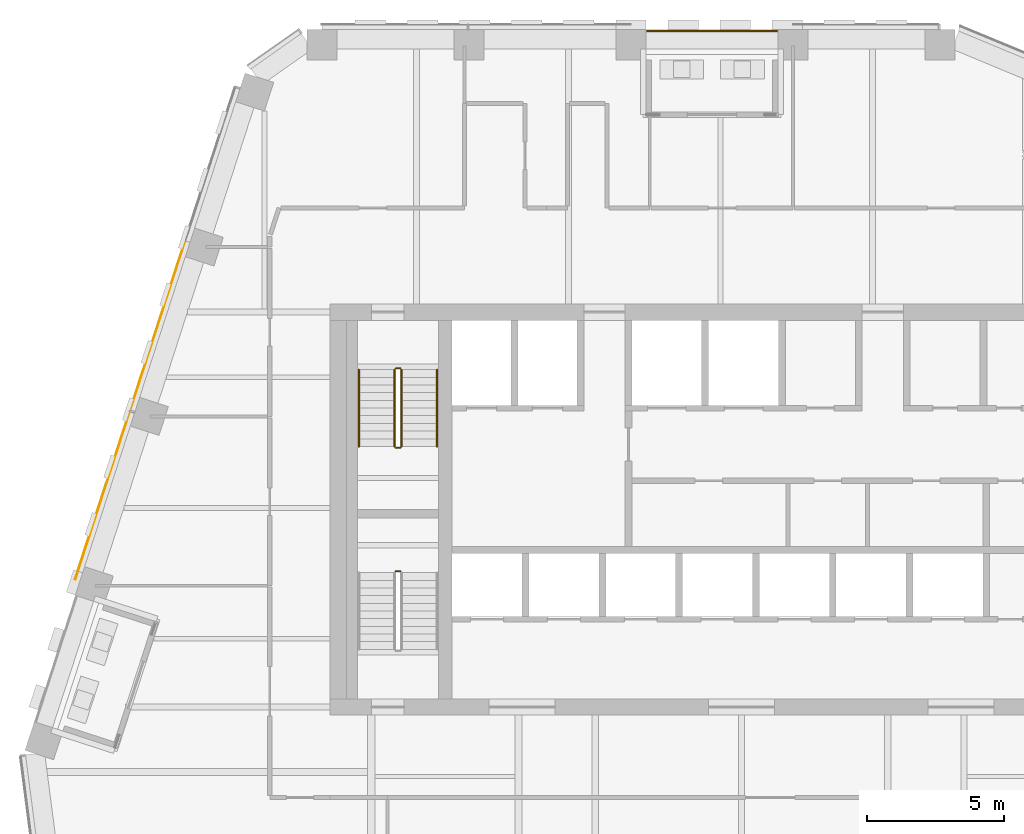
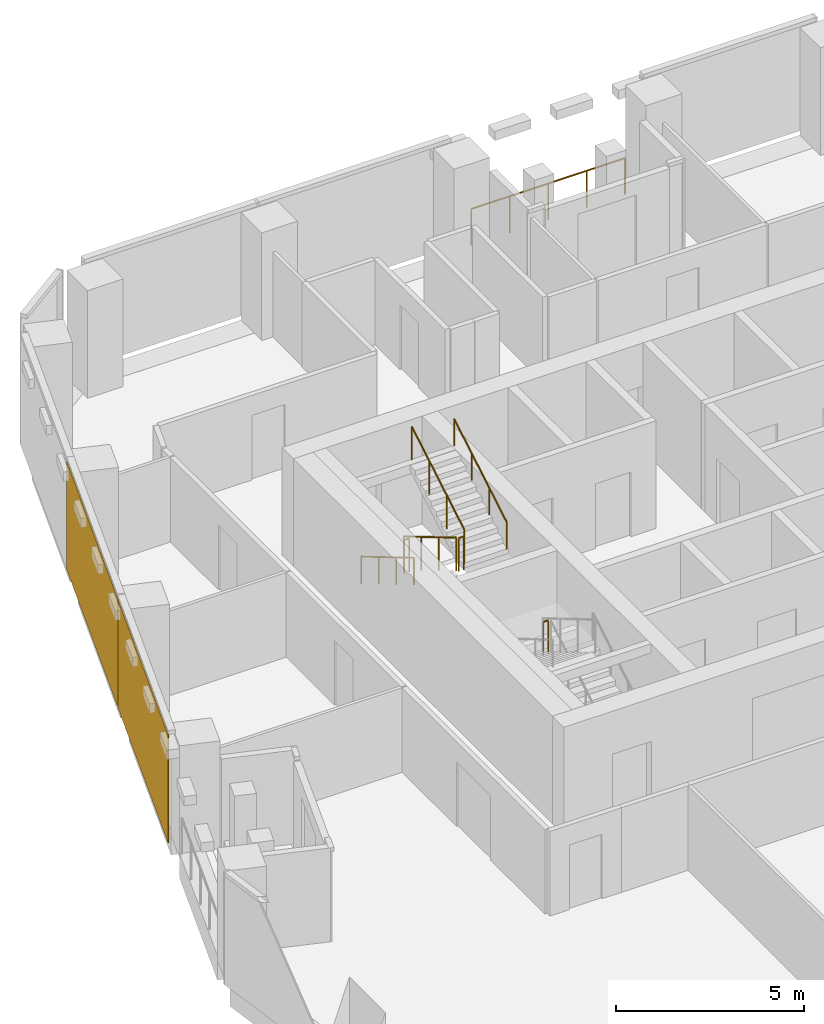
# One storey, part 22 of 24: 8 railings, 2 coverings, 1 element without a shape of its own.
"""IFC4 building model written with IfcOpenShell, lengths in metres."""

from ifc_helpers import new_model, si_unit, direction, frame, origin, origin_2d, place, context, subcontext, project, spatial, rectangle, circle, extrude, material, layer, layer_set, type_object, element, aggregate, save


model = new_model("IFC4")

# Units and contexts
model_context = context("Model", 3, precision=1e-05, world=origin(), true_north=direction((0.0, 1.0)))
body_context = subcontext(model_context, "Body", "Model", "MODEL_VIEW")
ifc_project = project(units=[si_unit("LENGTHUNIT", "METRE"), si_unit("AREAUNIT", "SQUARE_METRE"), si_unit("VOLUMEUNIT", "CUBIC_METRE"), si_unit("PLANEANGLEUNIT", "RADIAN"), si_unit("MASSUNIT", "GRAM", prefix="KILO")], contexts=[model_context])

# Site, building, storey
site_placement = place(None, origin())
site = spatial("IfcSite", under=ifc_project, at=site_placement, CompositionType="ELEMENT")
building_placement = place(site_placement, origin())
building = spatial("IfcBuilding", under=site, at=building_placement, Name="Isthmus Gate Tower", CompositionType="ELEMENT")
storey_placement = place(building_placement, frame((0.0, 0.0, 234.550048828125)))
storey = spatial("IfcBuildingStorey", under=building, at=storey_placement, Name="L59", CompositionType="ELEMENT", Elevation=234.550048828125)

# Curtain wall, coverings
ifc_material_1 = material(Name="Aluminium, pale champagne anodised", Category="aluminium")
ifc_layer_1 = layer(ifc_material_1, 0.199951171875)
ifc_layer_set_1 = layer_set([ifc_layer_1], Name="CW-1 UNITISED CURTAIN WALL 200 DEEP")
curtain_wall_type = type_object("IfcCurtainWallType", Name="CW-1 UNITISED CURTAIN WALL 200 DEEP", PredefinedType="NOTDEFINED", material=ifc_layer_set_1)
curtain_wall_placement = place(storey_placement, origin())
curtain_wall = element("IfcCurtainWall", 1, at=curtain_wall_placement, inside=storey, type_object=curtain_wall_type, Name="CW-1 NW L59", PredefinedType="NOTDEFINED")
ifc_material_2 = material(Name="Aluminium composite panel, pale champagne anodised", Category="aluminium")
ifc_layer_2 = layer(ifc_material_2, 0.031982421875)
ifc_layer_set_2 = layer_set([ifc_layer_2], Name="CW-1 PALE METAL PANEL 32")
covering_type = type_object("IfcCoveringType", Name="CW-1 PALE METAL PANEL 32", PredefinedType="CLADDING", material=ifc_layer_set_2)
covering_1_placement = place(storey_placement, frame((-21.288330078125, 14.210693359375, 0.0), z_axis=(0.0, 0.0, 1.0), x_axis=(-0.309016994375, -0.951056516295, 0.0)))
covering_1 = element("IfcCovering", 2, at=covering_1_placement, type_object=covering_type, Name="CW-1 pale metal panel", PredefinedType="CLADDING", context=body_context, shape_type="SweptSolid", body=[
    extrude(rectangle(XDim=6.491943359375, YDim=0.031982421875, at=origin_2d()), origin(), (0.0, 0.0, 1.0), 3.52001953125),
])
covering_2_placement = place(storey_placement, frame((-23.3037109375, 8.0078125, 0.0), z_axis=(0.0, 0.0, 1.0), x_axis=(-0.309016994375, -0.951056516295, 0.0)))
covering_2 = element("IfcCovering", 3, at=covering_2_placement, type_object=covering_type, Name="CW-1 pale metal panel", PredefinedType="CLADDING", context=body_context, shape_type="SweptSolid", body=[
    extrude(rectangle(XDim=6.431884765625, YDim=0.031982421875, at=origin_2d()), origin(), (0.0, 0.0, 1.0), 3.52001953125),
])
aggregate(curtain_wall, [covering_1, covering_2])

# Railings
ifc_material_3 = material(Name="Toughened laminated glass with stainless steel posts", Category="steel")
railing_type_1 = type_object("IfcRailingType", Name="GUARD 1200 FRAMELESS GLASS", PredefinedType="GUARDRAIL", material=ifc_material_3)
railing_1_placement = place(storey_placement, frame((1.29052734375, 24.949951171875, 0.0)))
element("IfcRailing", 4, at=railing_1_placement, inside=storey, type_object=railing_type_1, Name="LOGGIA GUARD", PredefinedType="GUARDRAIL", context=body_context, shape_type="SweptSolid", body=[
    extrude(circle(Radius=0.02490234375, at=origin_2d()), frame((0.0, 0.0, 1.1748046875), z_axis=(-1.0, 0.0, 0.0), x_axis=(0.0, -1.0, 0.0)), (0.0, 0.0, 1.0), 4.730712890625),
    extrude(circle(Radius=0.02490234375, at=origin_2d()), origin(), (0.0, 0.0, 1.0), 1.14990234375),
    extrude(circle(Radius=0.02490234375, at=origin_2d()), frame((-1.1826171875, 0.0, 0.0)), (0.0, 0.0, 1.0), 1.14990234375),
    extrude(circle(Radius=0.02490234375, at=origin_2d()), frame((-2.365234375, 0.0, 0.0)), (0.0, 0.0, 1.0), 1.14990234375),
    extrude(circle(Radius=0.02490234375, at=origin_2d()), frame((-3.548095703125, 0.0, 0.0)), (0.0, 0.0, 1.0), 1.14990234375),
    extrude(circle(Radius=0.02490234375, at=origin_2d()), frame((-4.730712890625, 0.0, 0.0)), (0.0, 0.0, 1.0), 1.14990234375),
])
ifc_material_4 = material(Name="Stainless steel balustrade", Category="steel")
railing_type_2 = type_object("IfcRailingType", Name="STAIR GUARD 1100", PredefinedType="GUARDRAIL", material=ifc_material_4)
railing_2_placement = place(storey_placement, frame((-12.64990234375, 12.60009765625, 0.165771484375)))
element("IfcRailing", 5, at=railing_2_placement, inside=storey, type_object=railing_type_2, Name="L59 ST1 stair guard 1", PredefinedType="GUARDRAIL", context=body_context, shape_type="SweptSolid", body=[
    extrude(circle(Radius=0.02392578125, at=origin_2d()), frame((0.0, 0.0, 1.076171875), z_axis=(0.0, -0.860306154799, 0.50977771628), x_axis=(1.0, 0.0, 0.0)), (0.0, 0.0, 1.0), 3.254638671875),
    extrude(circle(Radius=0.02099609375, at=origin_2d()), origin(), (0.0, 0.0, 1.0), 1.052001953125),
    extrude(circle(Radius=0.02099609375, at=origin_2d()), frame((0.0, -0.933349609375, 0.552978515625)), (0.0, 0.0, 1.0), 1.052001953125),
    extrude(circle(Radius=0.02099609375, at=origin_2d()), frame((0.0, -1.86669921875, 1.106201171875)), (0.0, 0.0, 1.0), 1.052001953125),
    extrude(circle(Radius=0.02099609375, at=origin_2d()), frame((0.0, -2.800048828125, 1.6591796875)), (0.0, 0.0, 1.0), 1.052001953125),
])
railing_3_placement = place(storey_placement, frame((-12.60009765625, 9.75, 1.824951171875)))
element("IfcRailing", 6, at=railing_3_placement, inside=storey, type_object=railing_type_2, Name="L59 ST1 stair guard 2", PredefinedType="GUARDRAIL", context=body_context, shape_type="SweptSolid", body=[
    extrude(circle(Radius=0.02392578125, at=origin_2d()), frame((0.0, 0.0, 1.076171875), z_axis=(1.0, 0.0, 0.0), x_axis=(0.0, 1.0, 0.0)), (0.0, 0.0, 1.0), 0.150146484375),
    extrude(circle(Radius=0.02099609375, at=origin_2d()), origin(), (0.0, 0.0, 1.0), 1.052001953125),
    extrude(circle(Radius=0.02099609375, at=origin_2d()), frame((0.150146484375, 0.0, 0.0)), (0.0, 0.0, 1.0), 1.052001953125),
])
railing_4_placement = place(storey_placement, frame((-12.39990234375, 9.800048828125, 1.990966796875)))
element("IfcRailing", 7, at=railing_4_placement, inside=storey, type_object=railing_type_2, Name="L59 ST1 stair guard 3", PredefinedType="GUARDRAIL", context=body_context, shape_type="SweptSolid", body=[
    extrude(circle(Radius=0.02392578125, at=origin_2d()), frame((0.0, 0.0, 1.076171875), z_axis=(0.0, 0.860339051648, 0.50972219513), x_axis=(-1.0, 0.0, 0.0)), (0.0, 0.0, 1.0), 3.254638671875),
    extrude(circle(Radius=0.02099609375, at=origin_2d()), origin(), (0.0, 0.0, 1.0), 1.052001953125),
    extrude(circle(Radius=0.02099609375, at=origin_2d()), frame((0.0, 0.933349609375, 0.552978515625)), (0.0, 0.0, 1.0), 1.052001953125),
    extrude(circle(Radius=0.02099609375, at=origin_2d()), frame((0.0, 1.86669921875, 1.10595703125)), (0.0, 0.0, 1.0), 1.052001953125),
    extrude(circle(Radius=0.02099609375, at=origin_2d()), frame((0.0, 2.800048828125, 1.658935546875)), (0.0, 0.0, 1.0), 1.052001953125),
])
railing_5_placement = place(storey_placement, frame((-12.60009765625, 12.64990234375, 0.0)))
element("IfcRailing", 8, at=railing_5_placement, inside=storey, type_object=railing_type_2, Name="L59 ST1 stair guard 4", PredefinedType="GUARDRAIL", context=body_context, shape_type="SweptSolid", body=[
    extrude(circle(Radius=0.02392578125, at=origin_2d()), frame((0.0, 0.0, 1.076171875), z_axis=(1.0, 0.0, 0.0), x_axis=(0.0, 1.0, 0.0)), (0.0, 0.0, 1.0), 0.150146484375),
    extrude(circle(Radius=0.02099609375, at=origin_2d()), origin(), (0.0, 0.0, 1.0), 1.052001953125),
    extrude(circle(Radius=0.02099609375, at=origin_2d()), frame((0.150146484375, 0.0, 0.0)), (0.0, 0.0, 1.0), 1.052001953125),
])
railing_6_placement = place(storey_placement, frame((-12.449951171875, 5.25, 1.824951171875)))
element("IfcRailing", 9, at=railing_6_placement, inside=storey, type_object=railing_type_2, Name="L59 ST7 stair guard 2", PredefinedType="GUARDRAIL", context=body_context, shape_type="SweptSolid", body=[
    extrude(circle(Radius=0.02392578125, at=origin_2d()), frame((0.0, 0.0, 1.076171875), z_axis=(-1.0, 0.0, 0.0), x_axis=(0.0, -1.0, 0.0)), (0.0, 0.0, 1.0), 0.150146484375),
    extrude(circle(Radius=0.02099609375, at=origin_2d()), origin(), (0.0, 0.0, 1.0), 1.052001953125),
    extrude(circle(Radius=0.02099609375, at=origin_2d()), frame((-0.150146484375, 0.0, 0.0)), (0.0, 0.0, 1.0), 1.052001953125),
])
ifc_material_5 = material(Name="Stainless steel handrail", Category="steel")
railing_type_3 = type_object("IfcRailingType", Name="STAIR HANDRAIL 900", PredefinedType="HANDRAIL", material=ifc_material_5)
railing_7_placement = place(storey_placement, frame((-13.949951171875, 12.60009765625, 0.165771484375)))
element("IfcRailing", 10, at=railing_7_placement, inside=storey, type_object=railing_type_3, Name="L59 ST1 stair handrail 1", PredefinedType="HANDRAIL", context=body_context, shape_type="SweptSolid", body=[
    extrude(circle(Radius=0.02392578125, at=origin_2d()), frame((0.0, 0.0, 0.8759765625), z_axis=(0.0, -0.860306154799, 0.50977771628), x_axis=(1.0, 0.0, 0.0)), (0.0, 0.0, 1.0), 3.254638671875),
    extrude(circle(Radius=0.02099609375, at=origin_2d()), origin(), (0.0, 0.0, 1.0), 0.851806640625),
    extrude(circle(Radius=0.02099609375, at=origin_2d()), frame((0.0, -0.933349609375, 0.552978515625)), (0.0, 0.0, 1.0), 0.851806640625),
    extrude(circle(Radius=0.02099609375, at=origin_2d()), frame((0.0, -1.86669921875, 1.106201171875)), (0.0, 0.0, 1.0), 0.851806640625),
    extrude(circle(Radius=0.02099609375, at=origin_2d()), frame((0.0, -2.800048828125, 1.6591796875)), (0.0, 0.0, 1.0), 0.851806640625),
])
railing_8_placement = place(storey_placement, frame((-11.10009765625, 9.800048828125, 1.990966796875)))
element("IfcRailing", 11, at=railing_8_placement, inside=storey, type_object=railing_type_3, Name="L59 ST1 stair handrail 2", PredefinedType="HANDRAIL", context=body_context, shape_type="SweptSolid", body=[
    extrude(circle(Radius=0.02392578125, at=origin_2d()), frame((0.0, 0.0, 0.8759765625), z_axis=(0.0, 0.860339051648, 0.50972219513), x_axis=(-1.0, 0.0, 0.0)), (0.0, 0.0, 1.0), 3.254638671875),
    extrude(circle(Radius=0.02099609375, at=origin_2d()), origin(), (0.0, 0.0, 1.0), 0.851806640625),
    extrude(circle(Radius=0.02099609375, at=origin_2d()), frame((0.0, 0.933349609375, 0.552978515625)), (0.0, 0.0, 1.0), 0.851806640625),
    extrude(circle(Radius=0.02099609375, at=origin_2d()), frame((0.0, 1.86669921875, 1.10595703125)), (0.0, 0.0, 1.0), 0.851806640625),
    extrude(circle(Radius=0.02099609375, at=origin_2d()), frame((0.0, 2.800048828125, 1.658935546875)), (0.0, 0.0, 1.0), 0.851806640625),
])

save(model, "model.ifc")
